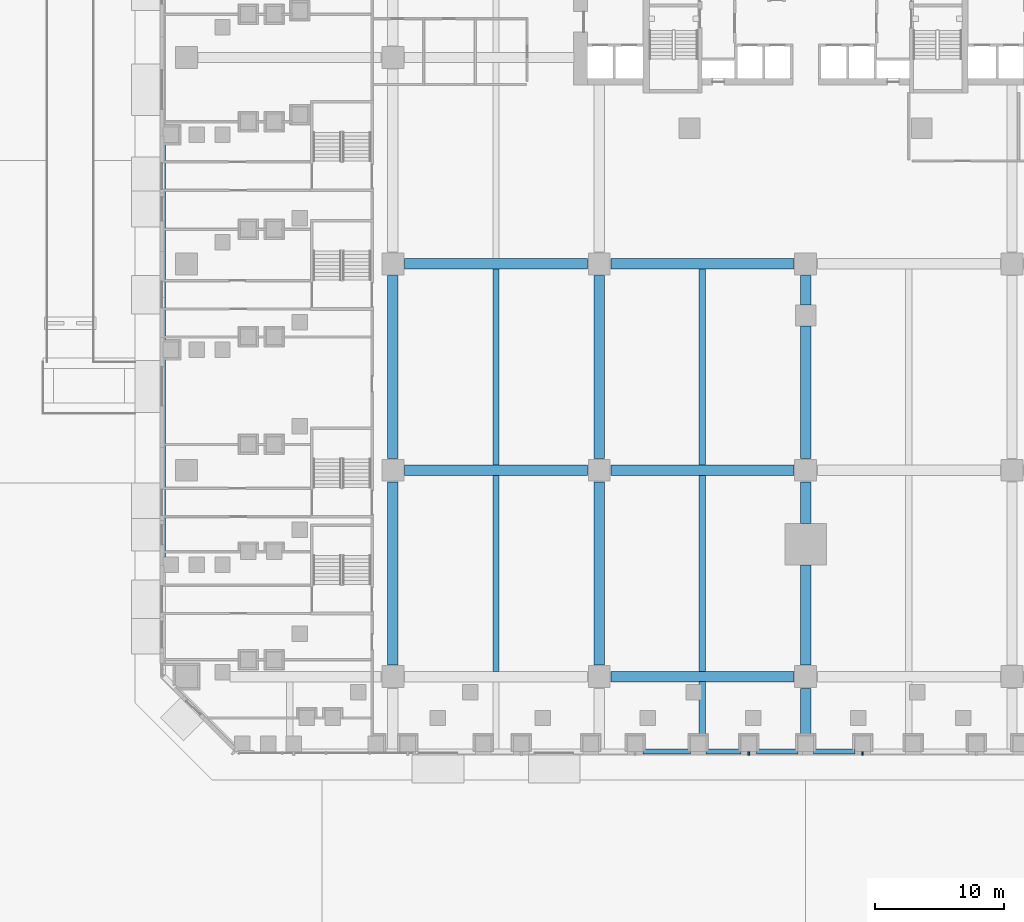
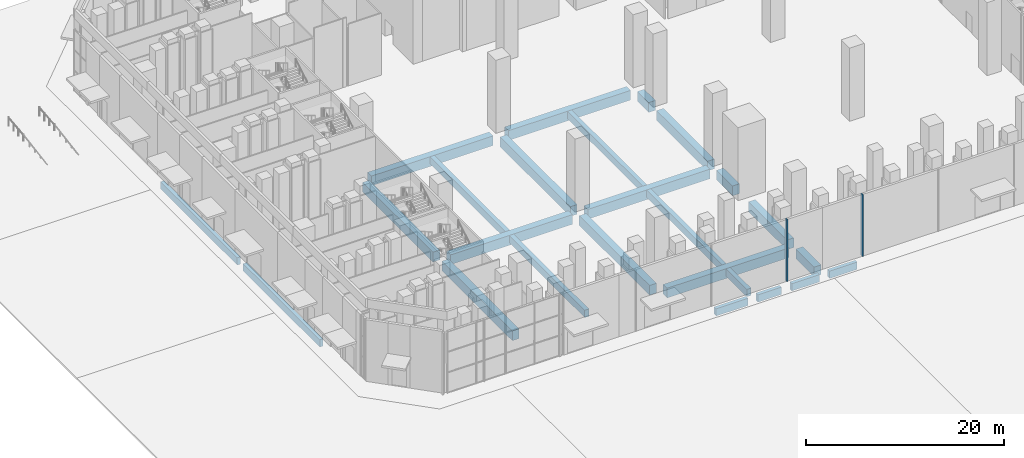
# One storey, part 3 of 51: 25 beams, 2 members.
"""IFC4 building model written with IfcOpenShell, lengths in metres."""

from ifc_helpers import new_model, si_unit, direction, frame, origin, origin_2d, place, context, subcontext, project, spatial, rectangle, extrude, material, material_profile, profile_set, type_object, element, save


model = new_model("IFC4")

# Units and contexts
model_context = context("Model", 3, precision=1e-05, world=origin(), true_north=direction((0.0, 1.0)))
body_context = subcontext(model_context, "Body", "Model", "MODEL_VIEW")
ifc_project = project(units=[si_unit("LENGTHUNIT", "METRE"), si_unit("AREAUNIT", "SQUARE_METRE"), si_unit("VOLUMEUNIT", "CUBIC_METRE"), si_unit("PLANEANGLEUNIT", "RADIAN"), si_unit("MASSUNIT", "GRAM", prefix="KILO")], contexts=[model_context])

# Site, building, storey
site_placement = place(None, origin())
site = spatial("IfcSite", under=ifc_project, at=site_placement, CompositionType="ELEMENT")
building_placement = place(site_placement, origin())
building = spatial("IfcBuilding", under=site, at=building_placement, Name="Calabash Gate Tower", CompositionType="ELEMENT")
storey_placement = place(building_placement, origin())
storey = spatial("IfcBuildingStorey", under=building, at=storey_placement, Name="L00", CompositionType="ELEMENT", Elevation=0.0)

# Beams
ifc_material_1 = material(Name="Concrete C50/60", Category="concrete")
ifc_material_profile_1 = material_profile(ifc_material_1, rectangle(XDim=0.39990234375, YDim=0.89990234375, at=origin_2d()))
ifc_profile_set_1 = profile_set([ifc_material_profile_1], Name="Concrete C50/60")
beam_type_1 = type_object("IfcBeamType", Name="Edge beam RC 400x900 Concrete C50/60", PredefinedType="BEAM", material=ifc_profile_set_1)
beam_1_placement = place(storey_placement, frame((-49.800048828125, -30.73291015625, -1.0), z_axis=(0.0, 1.0, 0.0), x_axis=(-1.0, 0.0, 0.0)))
element("IfcBeam", 1, at=beam_1_placement, inside=storey, type_object=beam_type_1, Name="Edge beam L00 4", PredefinedType="BEAM", context=body_context, shape_type="SweptSolid", body=[
    extrude(rectangle(XDim=0.39990234375, YDim=0.89990234375, at=origin_2d()), origin(), (0.0, 0.0, 1.0), 15.4658203125),
])
beam_2_placement = place(storey_placement, frame((-49.800048828125, -14.06689453125, -1.0), z_axis=(0.0, 1.0, 0.0), x_axis=(-1.0, 0.0, 0.0)))
element("IfcBeam", 2, at=beam_2_placement, inside=storey, type_object=beam_type_1, Name="Edge beam L00 5", PredefinedType="BEAM", context=body_context, shape_type="SweptSolid", body=[
    extrude(rectangle(XDim=0.39990234375, YDim=0.89990234375, at=origin_2d()), origin(), (0.0, 0.0, 1.0), 15.4677734375),
])
for number, where, z_axis, x_axis, name in (
    (3, (3.80810546875, -45.800048828125, -1.0), (-1.0, 0.0, 0.0), (0.0, -1.0, 0.0), "Edge beam L00 43"),
    (4, (-0.60009765625, -45.800048828125, -1.0), (-1.0, 0.0, 0.0), (0.0, -1.0, 0.0), "Edge beam L00 44"),
):
    element("IfcBeam", number, at=place(storey_placement, frame(where, z_axis=z_axis, x_axis=x_axis)), inside=storey, type_object=beam_type_1, Name=name, PredefinedType="BEAM", context=body_context, shape_type="SweptSolid", body=[
        extrude(rectangle(XDim=0.39990234375, YDim=0.89990234375, at=origin_2d()), origin(), (0.0, 0.0, 1.0), 3.2080078125),
    ])
beam_3_placement = place(storey_placement, frame((-5.008056640625, -45.800048828125, -1.0), z_axis=(-1.0, 0.0, 0.0), x_axis=(0.0, -1.0, 0.0)))
element("IfcBeam", 5, at=beam_3_placement, inside=storey, type_object=beam_type_1, Name="Edge beam L00 45", PredefinedType="BEAM", context=body_context, shape_type="SweptSolid", body=[
    extrude(rectangle(XDim=0.39990234375, YDim=0.89990234375, at=origin_2d()), origin(), (0.0, 0.0, 1.0), 2.725830078125),
])
beam_4_placement = place(storey_placement, frame((-8.93408203125, -45.800048828125, -1.0), z_axis=(-1.0, 0.0, 0.0), x_axis=(0.0, -1.0, 0.0)))
element("IfcBeam", 6, at=beam_4_placement, inside=storey, type_object=beam_type_1, Name="Edge beam L00 46", PredefinedType="BEAM", context=body_context, shape_type="SweptSolid", body=[
    extrude(rectangle(XDim=0.39990234375, YDim=0.89990234375, at=origin_2d()), origin(), (0.0, 0.0, 1.0), 3.68896484375),
])
ifc_material_2 = material(Name="Concrete C50/60", Category="concrete")
ifc_material_profile_2 = material_profile(ifc_material_2, rectangle(XDim=0.5, YDim=0.89990234375, at=origin_2d()))
ifc_profile_set_2 = profile_set([ifc_material_profile_2], Name="Concrete C50/60")
beam_type_2 = type_object("IfcBeamType", Name="Floor beam RC 500x900 Concrete C50/60", PredefinedType="BEAM", material=ifc_profile_set_2)
for number, where, z_axis, x_axis, name in (
    (7, (-24.0, -39.60009765625, -1.0), (0.0, 1.0, 0.0), (-1.0, 0.0, 0.0), "Floor beam L00 3"),
    (8, (-24.0, -23.60009765625, -1.0), (0.0, 1.0, 0.0), (-1.0, 0.0, 0.0), "Floor beam L00 4"),
):
    element("IfcBeam", number, at=place(storey_placement, frame(where, z_axis=z_axis, x_axis=x_axis)), inside=storey, type_object=beam_type_2, Name=name, PredefinedType="BEAM", context=body_context, shape_type="SweptSolid", body=[
        extrude(rectangle(XDim=0.5, YDim=0.89990234375, at=origin_2d()), origin(), (0.0, 0.0, 1.0), 15.2001953125),
    ])
beam_5_placement = place(storey_placement, frame((-8.0, -44.60009765625, -1.0), z_axis=(0.0, 1.0, 0.0), x_axis=(-1.0, 0.0, 0.0)))
element("IfcBeam", 9, at=beam_5_placement, inside=storey, type_object=beam_type_2, Name="Floor beam L00 8", PredefinedType="BEAM", context=body_context, shape_type="SweptSolid", body=[
    extrude(rectangle(XDim=0.5, YDim=0.89990234375, at=origin_2d()), origin(), (0.0, 0.0, 1.0), 4.232177734375),
])
for number, where, z_axis, x_axis, name in (
    (10, (-8.0, -39.60009765625, -1.0), (0.0, 1.0, 0.0), (-1.0, 0.0, 0.0), "Floor beam L00 9"),
    (11, (-8.0, -23.60009765625, -1.0), (0.0, 1.0, 0.0), (-1.0, 0.0, 0.0), "Floor beam L00 10"),
):
    element("IfcBeam", number, at=place(storey_placement, frame(where, z_axis=z_axis, x_axis=x_axis)), inside=storey, type_object=beam_type_2, Name=name, PredefinedType="BEAM", context=body_context, shape_type="SweptSolid", body=[
        extrude(rectangle(XDim=0.5, YDim=0.89990234375, at=origin_2d()), origin(), (0.0, 0.0, 1.0), 15.2001953125),
    ])
ifc_material_3 = material(Name="Concrete C50/60", Category="concrete")
ifc_material_profile_3 = material_profile(ifc_material_3, rectangle(XDim=0.800048828125, YDim=1.199951171875, at=origin_2d()))
ifc_profile_set_3 = profile_set([ifc_material_profile_3], Name="Concrete C50/60")
beam_type_3 = type_object("IfcBeamType", Name="Grid girder RC 800x1200 Concrete C50/60", PredefinedType="BEAM", material=ifc_profile_set_3)
for number, where, z_axis, x_axis, name in (
    (12, (-32.0, -39.10009765625, -1.14990234375), (0.0, 1.0, 0.0), (-1.0, 0.0, 0.0), "Grid girder L00 3"),
    (13, (-32.0, -23.10009765625, -1.14990234375), (0.0, 1.0, 0.0), (-1.0, 0.0, 0.0), "Grid girder L00 4"),
    (14, (-16.0, -39.10009765625, -1.14990234375), (0.0, 1.0, 0.0), (-1.0, 0.0, 0.0), "Grid girder L00 8"),
    (15, (-16.0, -23.10009765625, -1.14990234375), (0.0, 1.0, 0.0), (-1.0, 0.0, 0.0), "Grid girder L00 9"),
):
    element("IfcBeam", number, at=place(storey_placement, frame(where, z_axis=z_axis, x_axis=x_axis)), inside=storey, type_object=beam_type_3, Name=name, PredefinedType="BEAM", context=body_context, shape_type="SweptSolid", body=[
        extrude(rectangle(XDim=0.800048828125, YDim=1.199951171875, at=origin_2d()), origin(), (0.0, 0.0, 1.0), 14.2001953125),
    ])
beam_6_placement = place(storey_placement, frame((0.0, -44.60009765625, -1.14990234375), z_axis=(0.0, 1.0, 0.0), x_axis=(-1.0, 0.0, 0.0)))
element("IfcBeam", 16, at=beam_6_placement, inside=storey, type_object=beam_type_3, Name="Grid girder L00 12", PredefinedType="BEAM", context=body_context, shape_type="SweptSolid", body=[
    extrude(rectangle(XDim=0.800048828125, YDim=1.199951171875, at=origin_2d()), origin(), (0.0, 0.0, 1.0), 3.7001953125),
])
beam_7_placement = place(storey_placement, frame((0.0, -39.10009765625, -1.14990234375), z_axis=(0.0, 1.0, 0.0), x_axis=(-1.0, 0.0, 0.0)))
element("IfcBeam", 17, at=beam_7_placement, inside=storey, type_object=beam_type_3, Name="Grid girder L00 13", PredefinedType="BEAM", context=body_context, shape_type="SweptSolid", body=[
    extrude(rectangle(XDim=0.800048828125, YDim=1.199951171875, at=origin_2d()), origin(), (0.0, 0.0, 1.0), 7.76708984375),
])
beam_8_placement = place(storey_placement, frame((0.0, -28.133056640625, -1.14990234375), z_axis=(0.0, 1.0, 0.0), x_axis=(-1.0, 0.0, 0.0)))
element("IfcBeam", 18, at=beam_8_placement, inside=storey, type_object=beam_type_3, Name="Grid girder L00 14", PredefinedType="BEAM", context=body_context, shape_type="SweptSolid", body=[
    extrude(rectangle(XDim=0.800048828125, YDim=1.199951171875, at=origin_2d()), origin(), (0.0, 0.0, 1.0), 3.233154296875),
])
beam_9_placement = place(storey_placement, frame((0.0, -23.10009765625, -1.14990234375), z_axis=(0.0, 1.0, 0.0), x_axis=(-1.0, 0.0, 0.0)))
element("IfcBeam", 19, at=beam_9_placement, inside=storey, type_object=beam_type_3, Name="Grid girder L00 15", PredefinedType="BEAM", context=body_context, shape_type="SweptSolid", body=[
    extrude(rectangle(XDim=0.800048828125, YDim=1.199951171875, at=origin_2d()), origin(), (0.0, 0.0, 1.0), 10.300048828125),
])
beam_10_placement = place(storey_placement, frame((0.0, -11.199951171875, -1.14990234375), z_axis=(0.0, 1.0, 0.0), x_axis=(-1.0, 0.0, 0.0)))
element("IfcBeam", 20, at=beam_10_placement, inside=storey, type_object=beam_type_3, Name="Grid girder L00 16", PredefinedType="BEAM", context=body_context, shape_type="SweptSolid", body=[
    extrude(rectangle(XDim=0.800048828125, YDim=1.199951171875, at=origin_2d()), origin(), (0.0, 0.0, 1.0), 2.300048828125),
])
for number, where, z_axis, x_axis, name in (
    (21, (-15.10009765625, -40.0, -1.14990234375), (1.0, 0.0, 0.0), (0.0, 1.0, 0.0), "Grid girder L00 31"),
    (22, (-31.10009765625, -24.0, -1.14990234375), (1.0, 0.0, 0.0), (0.0, 1.0, 0.0), "Grid girder L00 35"),
    (23, (-15.10009765625, -24.0, -1.14990234375), (1.0, 0.0, 0.0), (0.0, 1.0, 0.0), "Grid girder L00 36"),
    (24, (-31.10009765625, -8.0, -1.14990234375), (1.0, 0.0, 0.0), (0.0, 1.0, 0.0), "Grid girder L00 39"),
    (25, (-15.10009765625, -8.0, -1.14990234375), (1.0, 0.0, 0.0), (0.0, 1.0, 0.0), "Grid girder L00 40"),
):
    element("IfcBeam", number, at=place(storey_placement, frame(where, z_axis=z_axis, x_axis=x_axis)), inside=storey, type_object=beam_type_3, Name=name, PredefinedType="BEAM", context=body_context, shape_type="SweptSolid", body=[
        extrude(rectangle(XDim=0.800048828125, YDim=1.199951171875, at=origin_2d()), origin(), (0.0, 0.0, 1.0), 14.2001953125),
    ])

# Members
ifc_material_4 = material(Name="Terracotta brick masonry, baguette fin", Category="masonry")
ifc_material_profile_4 = material_profile(ifc_material_4, rectangle(XDim=0.139892578125, YDim=0.300048828125, at=origin_2d()))
ifc_profile_set_4 = profile_set([ifc_material_profile_4], Name="Terracotta brick masonry, baguette fin")
member_type = type_object("IfcMemberType", Name="Terracotta baguette 140x300", PredefinedType="USERDEFINED", material=ifc_profile_set_4)
for number, where, z_axis, x_axis, name in (
    (26, (-4.407958984375, -45.949951171875, 0.0), (0.0, 0.0, 1.0), (1.0, 0.0, 0.0), "BAGUETTE L00 6"),
    (27, (4.407958984375, -45.949951171875, 0.0), (0.0, 0.0, 1.0), (1.0, 0.0, 0.0), "BAGUETTE L00 7"),
):
    element("IfcMember", number, at=place(storey_placement, frame(where, z_axis=z_axis, x_axis=x_axis)), inside=storey, type_object=member_type, Name=name, ObjectType="BAGUETTE", PredefinedType="USERDEFINED", context=body_context, shape_type="SweptSolid", body=[
        extrude(rectangle(XDim=0.139892578125, YDim=0.300048828125, at=origin_2d()), origin(), (0.0, 0.0, 1.0), 7.60009765625),
    ])

save(model, "model.ifc")
